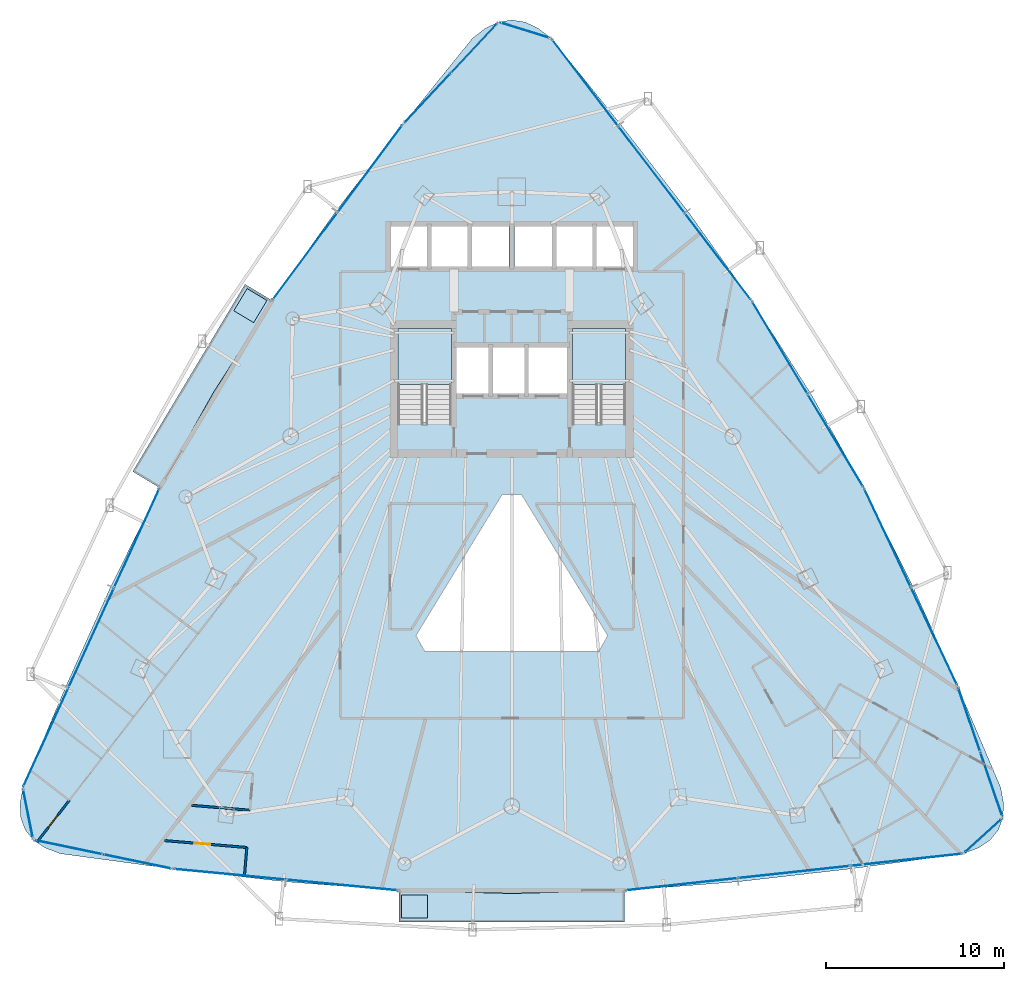
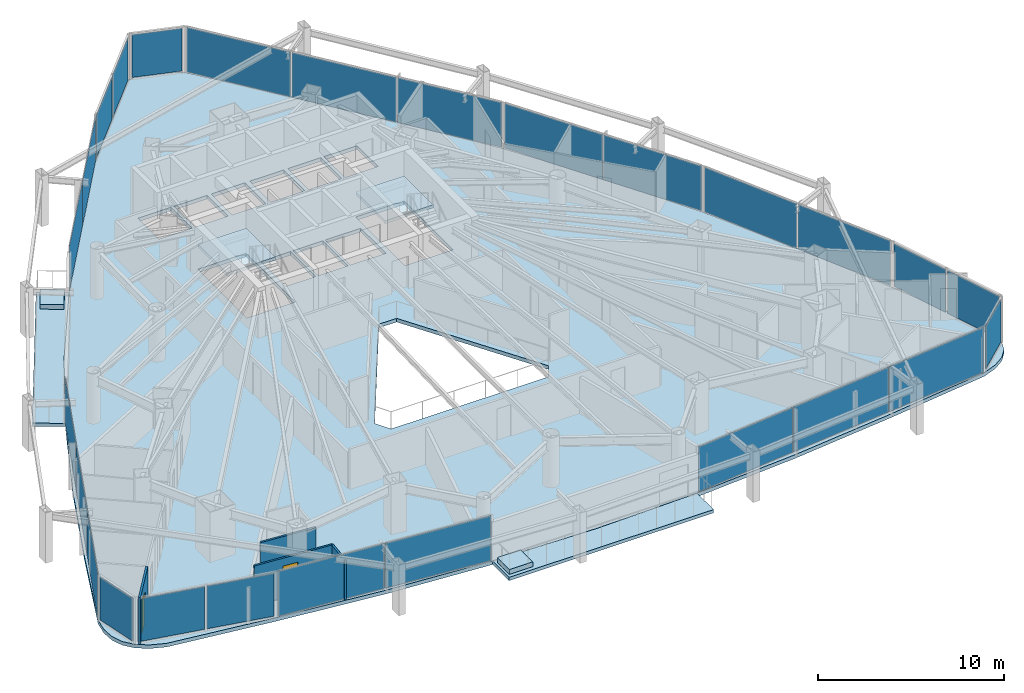
# One storey, part 28 of 34: 26 plates, 7 slabs, 4 walls, 2 doors, 2 openings, 15 elements without a shape of their own.
"""IFC4 building model written with IfcOpenShell, lengths in metres."""

from ifc_helpers import new_model, si_unit, direction, frame, frame_2d, origin, origin_2d, place, context, subcontext, project, spatial, polyline, rectangle, outline, extrude, material, layer, layer_set, type_object, element, fill, aggregate, save


model = new_model("IFC4")

# Units and contexts
model_context = context("Model", 3, precision=1e-05, world=origin(), true_north=direction((0.0, 1.0)))
body_context = subcontext(model_context, "Body", "Model", "MODEL_VIEW")
ifc_project = project(units=[si_unit("LENGTHUNIT", "METRE"), si_unit("AREAUNIT", "SQUARE_METRE"), si_unit("VOLUMEUNIT", "CUBIC_METRE"), si_unit("PLANEANGLEUNIT", "RADIAN"), si_unit("MASSUNIT", "GRAM", prefix="KILO")], contexts=[model_context])

# Site, building, storey
site_placement = place(None, origin())
site = spatial("IfcSite", under=ifc_project, at=site_placement, CompositionType="ELEMENT")
building_placement = place(site_placement, origin())
building = spatial("IfcBuilding", under=site, at=building_placement, Name="Orvanel Arch Residences", CompositionType="ELEMENT")
storey_placement = place(building_placement, frame((0.0, 0.0, 74.14990234375)))
storey = spatial("IfcBuildingStorey", under=building, at=storey_placement, Name="L20", CompositionType="ELEMENT", Elevation=74.14990234375)

# Curtain wall, plates
ifc_material_1 = material(Name="Bronze-anodised aluminium AA6063-T6", Category="aluminium")
ifc_layer_1 = layer(ifc_material_1, 0.179931640625)
ifc_layer_set_1 = layer_set([ifc_layer_1], Name="Bronze-anodised aluminium AA6063-T6")
curtain_wall_type_1 = type_object("IfcCurtainWallType", Name="CW2-LOW-SYS", PredefinedType="NOTDEFINED", material=ifc_layer_set_1)
curtain_wall_1_placement = place(storey_placement, origin())
curtain_wall_1 = element("IfcCurtainWall", 1, at=curtain_wall_1_placement, inside=storey, type_object=curtain_wall_type_1, Name="L20 CW2-LOW-SYS Unitised Curtain Wall", PredefinedType="NOTDEFINED")
ifc_material_2 = material(Name="Double-glazed solar-control low-E safety glass", Category="glass")
ifc_layer_2 = layer(ifc_material_2, 0.028076171875)
ifc_layer_set_2 = layer_set([ifc_layer_2], Name="Double-glazed solar-control low-E safety glass")
plate_type_1 = type_object("IfcPlateType", Name="PNL-GLZ-28", PredefinedType="CURTAIN_PANEL", material=ifc_layer_set_2)
plate_1_placement = place(storey_placement, frame((25.026611328125, 42.693359375, 0.06005859375), z_axis=(0.0, 0.0, 1.0), x_axis=(-0.596168298343, -0.802859489606, 0.0)))
plate_1 = element("IfcPlate", 2, at=plate_1_placement, type_object=plate_type_1, Name="CW-S2 panel 1.1", PredefinedType="CURTAIN_PANEL", context=body_context, shape_type="SweptSolid", body=[
    extrude(rectangle(XDim=6.044189453125, YDim=0.028076171875, at=origin_2d()), origin(), (0.0, 0.0, 1.0), 2.93994140625),
])
plate_2_placement = place(storey_placement, frame((21.38134765625, 37.78466796875, 0.06005859375), z_axis=(0.0, 0.0, 1.0), x_axis=(-0.596168298343, -0.802859489606, 0.0)))
plate_2 = element("IfcPlate", 3, at=plate_2_placement, type_object=plate_type_1, Name="CW-S2 panel 2.1", PredefinedType="CURTAIN_PANEL", context=body_context, shape_type="SweptSolid", body=[
    extrude(rectangle(XDim=6.044189453125, YDim=0.028076171875, at=origin_2d()), origin(), (0.0, 0.0, 1.0), 2.93994140625),
])
aggregate(curtain_wall_1, [plate_1, plate_2])

curtain_wall_2_placement = place(storey_placement, origin())
curtain_wall_2 = element("IfcCurtainWall", 4, at=curtain_wall_2_placement, inside=storey, type_object=curtain_wall_type_1, Name="L20 CW2-LOW-SYS Unitised Curtain Wall", PredefinedType="NOTDEFINED")
plate_3_placement = place(storey_placement, frame((11.9140625, 21.91796875, 0.06005859375), z_axis=(0.0, 0.0, 1.0), x_axis=(-0.415447967434, -0.909616944848, 0.0)))
plate_3 = element("IfcPlate", 5, at=plate_3_placement, type_object=plate_type_1, Name="CW-S2 panel 1.1", PredefinedType="CURTAIN_PANEL", context=body_context, shape_type="SweptSolid", body=[
    extrude(rectangle(XDim=6.060302734375, YDim=0.028076171875, at=origin_2d()), origin(), (0.0, 0.0, 1.0), 2.93994140625),
])
plate_4_placement = place(storey_placement, frame((9.360107421875, 16.325927734375, 0.06005859375), z_axis=(0.0, 0.0, 1.0), x_axis=(-0.415447967434, -0.909616944848, 0.0)))
plate_4 = element("IfcPlate", 6, at=plate_4_placement, type_object=plate_type_1, Name="CW-S2 panel 2.1", PredefinedType="CURTAIN_PANEL", context=body_context, shape_type="SweptSolid", body=[
    extrude(rectangle(XDim=6.09521484375, YDim=0.028076171875, at=origin_2d()), origin(), (0.0, 0.0, 1.0), 2.93994140625),
])
plate_5_placement = place(storey_placement, frame((6.805908203125, 10.73388671875, 0.06005859375), z_axis=(0.0, 0.0, 1.0), x_axis=(-0.415447967434, -0.909616944848, 0.0)))
plate_5 = element("IfcPlate", 7, at=plate_5_placement, type_object=plate_type_1, Name="CW-S2 panel 3.1", PredefinedType="CURTAIN_PANEL", context=body_context, shape_type="SweptSolid", body=[
    extrude(rectangle(XDim=6.060302734375, YDim=0.028076171875, at=origin_2d()), origin(), (0.0, 0.0, 1.0), 2.93994140625),
])
aggregate(curtain_wall_2, [plate_3, plate_4, plate_5])

curtain_wall_3_placement = place(storey_placement, origin())
curtain_wall_3 = element("IfcCurtainWall", 8, at=curtain_wall_3_placement, inside=storey, type_object=curtain_wall_type_1, Name="L20 CW2-LOW-SYS Unitised Curtain Wall", PredefinedType="NOTDEFINED")
plate_6_placement = place(storey_placement, frame((17.158203125, 3.0244140625, 0.06005859375), z_axis=(0.0, 0.0, 1.0), x_axis=(0.995474944009, -0.095024396079, 0.0)))
plate_6 = element("IfcPlate", 9, at=plate_6_placement, type_object=plate_type_1, Name="CW-S2 panel 1.1", PredefinedType="CURTAIN_PANEL", context=body_context, shape_type="SweptSolid", body=[
    extrude(rectangle(XDim=6.251220703125, YDim=0.028076171875, at=origin_2d()), origin(), (0.0, 0.0, 1.0), 2.93994140625),
])
plate_7_placement = place(storey_placement, frame((23.450927734375, 2.423583984375, 0.06005859375), z_axis=(0.0, 0.0, 1.0), x_axis=(0.995474944009, -0.095024396079, 0.0)))
plate_7 = element("IfcPlate", 10, at=plate_7_placement, type_object=plate_type_1, Name="CW-S2 panel 2.1", PredefinedType="CURTAIN_PANEL", context=body_context, shape_type="SweptSolid", body=[
    extrude(rectangle(XDim=6.251220703125, YDim=0.028076171875, at=origin_2d()), origin(), (0.0, 0.0, 1.0), 2.93994140625),
])
aggregate(curtain_wall_3, [plate_6, plate_7])

curtain_wall_4_placement = place(storey_placement, origin())
curtain_wall_4 = element("IfcCurtainWall", 11, at=curtain_wall_4_placement, inside=storey, type_object=curtain_wall_type_1, Name="L20 CW2-LOW-SYS Unitised Curtain Wall", PredefinedType="NOTDEFINED")
plate_8_placement = place(storey_placement, frame((42.551513671875, 2.46630859375, 0.06005859375), z_axis=(0.0, 0.0, 1.0), x_axis=(0.994141897131, 0.10808278479, 0.0)))
plate_8 = element("IfcPlate", 12, at=plate_8_placement, type_object=plate_type_1, Name="CW-S2 panel 1.1", PredefinedType="CURTAIN_PANEL", context=body_context, shape_type="SweptSolid", body=[
    extrude(rectangle(XDim=6.2666015625, YDim=0.028076171875, at=origin_2d()), origin(), (0.0, 0.0, 1.0), 2.93994140625),
])
plate_9_placement = place(storey_placement, frame((48.868408203125, 3.153076171875, 0.06005859375), z_axis=(0.0, 0.0, 1.0), x_axis=(0.994141897131, 0.10808278479, 0.0)))
plate_9 = element("IfcPlate", 13, at=plate_9_placement, type_object=plate_type_1, Name="CW-S2 panel 2.1", PredefinedType="CURTAIN_PANEL", context=body_context, shape_type="SweptSolid", body=[
    extrude(rectangle(XDim=6.3017578125, YDim=0.028076171875, at=origin_2d()), origin(), (0.0, 0.0, 1.0), 2.93994140625),
])
plate_10_placement = place(storey_placement, frame((55.185546875, 3.83984375, 0.06005859375), z_axis=(0.0, 0.0, 1.0), x_axis=(0.994141897131, 0.10808278479, 0.0)))
plate_10 = element("IfcPlate", 14, at=plate_10_placement, type_object=plate_type_1, Name="CW-S2 panel 3.1", PredefinedType="CURTAIN_PANEL", context=body_context, shape_type="SweptSolid", body=[
    extrude(rectangle(XDim=6.2666015625, YDim=0.028076171875, at=origin_2d()), origin(), (0.0, 0.0, 1.0), 2.93994140625),
])
aggregate(curtain_wall_4, [plate_8, plate_9, plate_10])

curtain_wall_5_placement = place(storey_placement, origin())
curtain_wall_5 = element("IfcCurtainWall", 15, at=curtain_wall_5_placement, inside=storey, type_object=curtain_wall_type_1, Name="L20 CW2-LOW-SYS Unitised Curtain Wall", PredefinedType="NOTDEFINED")
plate_11_placement = place(storey_placement, frame((56.73583984375, 16.415283203125, 0.06005859375), z_axis=(0.0, 0.0, 1.0), x_axis=(-0.427593472426, 0.903971140213, 0.0)))
plate_11 = element("IfcPlate", 16, at=plate_11_placement, type_object=plate_type_1, Name="CW-S2 panel 1.1", PredefinedType="CURTAIN_PANEL", context=body_context, shape_type="SweptSolid", body=[
    extrude(rectangle(XDim=6.04443359375, YDim=0.028076171875, at=origin_2d()), origin(), (0.0, 0.0, 1.0), 2.93994140625),
])
plate_12_placement = place(storey_placement, frame((54.121337890625, 21.942626953125, 0.06005859375), z_axis=(0.0, 0.0, 1.0), x_axis=(-0.427593472426, 0.903971140213, 0.0)))
plate_12 = element("IfcPlate", 17, at=plate_12_placement, type_object=plate_type_1, Name="CW-S2 panel 2.1", PredefinedType="CURTAIN_PANEL", context=body_context, shape_type="SweptSolid", body=[
    extrude(rectangle(XDim=6.04443359375, YDim=0.028076171875, at=origin_2d()), origin(), (0.0, 0.0, 1.0), 2.93994140625),
])
aggregate(curtain_wall_5, [plate_11, plate_12])

curtain_wall_6_placement = place(storey_placement, origin())
curtain_wall_6 = element("IfcCurtainWall", 18, at=curtain_wall_6_placement, inside=storey, type_object=curtain_wall_type_1, Name="L20 CW2-LOW-SYS Unitised Curtain Wall", PredefinedType="NOTDEFINED")
plate_13_placement = place(storey_placement, frame((51.197021484375, 27.412109375, 0.06005859375), z_axis=(0.0, 0.0, 1.0), x_axis=(-0.514399631471, 0.85755059276, 0.0)))
plate_13 = element("IfcPlate", 19, at=plate_13_placement, type_object=plate_type_1, Name="CW-S2 panel 1.1", PredefinedType="CURTAIN_PANEL", context=body_context, shape_type="SweptSolid", body=[
    extrude(rectangle(XDim=6.0146484375, YDim=0.028076171875, at=origin_2d()), origin(), (0.0, 0.0, 1.0), 2.93994140625),
])
plate_14_placement = place(storey_placement, frame((48.06689453125, 32.6298828125, 0.06005859375), z_axis=(0.0, 0.0, 1.0), x_axis=(-0.514399631471, 0.85755059276, 0.0)))
plate_14 = element("IfcPlate", 20, at=plate_14_placement, type_object=plate_type_1, Name="CW-S2 panel 2.1", PredefinedType="CURTAIN_PANEL", context=body_context, shape_type="SweptSolid", body=[
    extrude(rectangle(XDim=6.0146484375, YDim=0.028076171875, at=origin_2d()), origin(), (0.0, 0.0, 1.0), 2.93994140625),
])
aggregate(curtain_wall_6, [plate_13, plate_14])

curtain_wall_7_placement = place(storey_placement, origin())
curtain_wall_7 = element("IfcCurtainWall", 21, at=curtain_wall_7_placement, inside=storey, type_object=curtain_wall_type_1, Name="L20 CW2-LOW-SYS Unitised Curtain Wall", PredefinedType="NOTDEFINED")
plate_15_placement = place(storey_placement, frame((44.58056640625, 37.765625, 0.06005859375), z_axis=(0.0, 0.0, 1.0), x_axis=(-0.606950241122, 0.794739834664, 0.0)))
plate_15 = element("IfcPlate", 22, at=plate_15_placement, type_object=plate_type_1, Name="CW-S2 panel 1.1", PredefinedType="CURTAIN_PANEL", context=body_context, shape_type="SweptSolid", body=[
    extrude(rectangle(XDim=6.059814453125, YDim=0.028076171875, at=origin_2d()), origin(), (0.0, 0.0, 1.0), 2.93994140625),
])
plate_16_placement = place(storey_placement, frame((40.849609375, 42.65087890625, 0.06005859375), z_axis=(0.0, 0.0, 1.0), x_axis=(-0.606950241122, 0.794739834664, 0.0)))
plate_16 = element("IfcPlate", 23, at=plate_16_placement, type_object=plate_type_1, Name="CW-S2 panel 2.1", PredefinedType="CURTAIN_PANEL", context=body_context, shape_type="SweptSolid", body=[
    extrude(rectangle(XDim=6.0947265625, YDim=0.028076171875, at=origin_2d()), origin(), (0.0, 0.0, 1.0), 2.93994140625),
])
plate_17_placement = place(storey_placement, frame((37.118408203125, 47.536376953125, 0.06005859375), z_axis=(0.0, 0.0, 1.0), x_axis=(-0.606950241122, 0.794739834664, 0.0)))
plate_17 = element("IfcPlate", 24, at=plate_17_placement, type_object=plate_type_1, Name="CW-S2 panel 3.1", PredefinedType="CURTAIN_PANEL", context=body_context, shape_type="SweptSolid", body=[
    extrude(rectangle(XDim=6.059814453125, YDim=0.028076171875, at=origin_2d()), origin(), (0.0, 0.0, 1.0), 2.93994140625),
])
aggregate(curtain_wall_7, [plate_15, plate_16, plate_17])

# Curtain wall, plate
ifc_layer_3 = layer(ifc_material_1, 0.18994140625)
ifc_layer_set_3 = layer_set([ifc_layer_3], Name="Bronze-anodised aluminium AA6063-T6")
curtain_wall_type_2 = type_object("IfcCurtainWallType", Name="CW5-CRN-SYS", PredefinedType="NOTDEFINED", material=ifc_layer_set_3)
curtain_wall_8_placement = place(storey_placement, origin())
curtain_wall_8 = element("IfcCurtainWall", 25, at=curtain_wall_8_placement, inside=storey, type_object=curtain_wall_type_2, Name="L20 CW5-CRN-SYS Unitised Curtain Wall", PredefinedType="NOTDEFINED")
ifc_layer_4 = layer(ifc_material_2, 0.031982421875)
ifc_layer_set_4 = layer_set([ifc_layer_4], Name="Double-glazed solar-control low-E safety glass")
plate_type_2 = type_object("IfcPlateType", Name="PNL-GLZ-32", PredefinedType="CURTAIN_PANEL", material=ifc_layer_set_4)
plate_18_placement = place(storey_placement, frame((33.741455078125, 50.4775390625, 0.1298828125), z_axis=(0.0, 0.0, 1.0), x_axis=(-0.954879378397, 0.296993893392, 0.0)))
plate_18 = element("IfcPlate", 26, at=plate_18_placement, type_object=plate_type_2, Name="CW-S5 panel 1.1", PredefinedType="CURTAIN_PANEL", context=body_context, shape_type="SweptSolid", body=[
    extrude(rectangle(XDim=2.767333984375, YDim=0.031982421875, at=origin_2d()), origin(), (0.0, 0.0, 1.0), 2.800048828125),
])
aggregate(curtain_wall_8, [plate_18])

# Curtain wall, plates
curtain_wall_9_placement = place(storey_placement, origin())
curtain_wall_9 = element("IfcCurtainWall", 27, at=curtain_wall_9_placement, inside=storey, type_object=curtain_wall_type_2, Name="L20 CW5-CRN-SYS Unitised Curtain Wall", PredefinedType="NOTDEFINED")
plate_19_placement = place(storey_placement, frame((30.88134765625, 49.46728515625, 0.1298828125), z_axis=(0.0, 0.0, 1.0), x_axis=(-0.683146141191, -0.730281692072, 0.0)))
plate_19 = element("IfcPlate", 28, at=plate_19_placement, type_object=plate_type_2, Name="CW-S5 panel 1.1", PredefinedType="CURTAIN_PANEL", context=body_context, shape_type="SweptSolid", body=[
    extrude(rectangle(XDim=3.689208984375, YDim=0.031982421875, at=origin_2d()), origin(), (0.0, 0.0, 1.0), 2.800048828125),
])
plate_20_placement = place(storey_placement, frame((28.258544921875, 46.66357421875, 0.1298828125), z_axis=(0.0, 0.0, 1.0), x_axis=(-0.683146141191, -0.730281692072, 0.0)))
plate_20 = element("IfcPlate", 29, at=plate_20_placement, type_object=plate_type_2, Name="CW-S5 panel 2.1", PredefinedType="CURTAIN_PANEL", context=body_context, shape_type="SweptSolid", body=[
    extrude(rectangle(XDim=3.689208984375, YDim=0.031982421875, at=origin_2d()), origin(), (0.0, 0.0, 1.0), 2.800048828125),
])
aggregate(curtain_wall_9, [plate_19, plate_20])

# Curtain wall, plate
curtain_wall_10_placement = place(storey_placement, origin())
curtain_wall_10 = element("IfcCurtainWall", 30, at=curtain_wall_10_placement, inside=storey, type_object=curtain_wall_type_2, Name="L20 CW5-CRN-SYS Unitised Curtain Wall", PredefinedType="NOTDEFINED")
plate_21_placement = place(storey_placement, frame((5.802490234375, 6.428955078125, 0.1298828125), z_axis=(0.0, 0.0, 1.0), x_axis=(0.19552958949, -0.980697802401, 0.0)))
plate_21 = element("IfcPlate", 31, at=plate_21_placement, type_object=plate_type_2, Name="CW-S5 panel 1.1", PredefinedType="CURTAIN_PANEL", context=body_context, shape_type="SweptSolid", body=[
    extrude(rectangle(XDim=2.65087890625, YDim=0.031982421875, at=origin_2d()), origin(), (0.0, 0.0, 1.0), 2.800048828125),
])
aggregate(curtain_wall_10, [plate_21])

# Curtain wall, plates
curtain_wall_11_placement = place(storey_placement, origin())
curtain_wall_11 = element("IfcCurtainWall", 32, at=curtain_wall_11_placement, inside=storey, type_object=curtain_wall_type_2, Name="L20 CW5-CRN-SYS Unitised Curtain Wall", PredefinedType="NOTDEFINED")
plate_22_placement = place(storey_placement, frame((8.107177734375, 4.54443359375, 0.1298828125), z_axis=(0.0, 0.0, 1.0), x_axis=(0.97911973689, -0.203284384132, 0.0)))
plate_22 = element("IfcPlate", 33, at=plate_22_placement, type_object=plate_type_2, Name="CW-S5 panel 1.1", PredefinedType="CURTAIN_PANEL", context=body_context, shape_type="SweptSolid", body=[
    extrude(rectangle(XDim=3.769287109375, YDim=0.031982421875, at=origin_2d()), origin(), (0.0, 0.0, 1.0), 2.800048828125),
])
plate_23_placement = place(storey_placement, frame((11.94482421875, 3.74755859375, 0.1298828125), z_axis=(0.0, 0.0, 1.0), x_axis=(0.97911973689, -0.203284384132, 0.0)))
plate_23 = element("IfcPlate", 34, at=plate_23_placement, type_object=plate_type_2, Name="CW-S5 panel 2.1", PredefinedType="CURTAIN_PANEL", context=body_context, shape_type="SweptSolid", body=[
    extrude(rectangle(XDim=3.769287109375, YDim=0.031982421875, at=origin_2d()), origin(), (0.0, 0.0, 1.0), 2.800048828125),
])
aggregate(curtain_wall_11, [plate_22, plate_23])

# Curtain wall, plate
curtain_wall_12_placement = place(storey_placement, origin())
curtain_wall_12 = element("IfcCurtainWall", 35, at=curtain_wall_12_placement, inside=storey, type_object=curtain_wall_type_2, Name="L20 CW5-CRN-SYS Unitised Curtain Wall", PredefinedType="NOTDEFINED")
plate_24_placement = place(storey_placement, frame((59.49755859375, 5.193603515625, 0.1298828125), z_axis=(0.0, 0.0, 1.0), x_axis=(0.740169951357, 0.6724198414, 0.0)))
plate_24 = element("IfcPlate", 36, at=plate_24_placement, type_object=plate_type_2, Name="CW-S5 panel 1.1", PredefinedType="CURTAIN_PANEL", context=body_context, shape_type="SweptSolid", body=[
    extrude(rectangle(XDim=2.652099609375, YDim=0.031982421875, at=origin_2d()), origin(), (0.0, 0.0, 1.0), 2.800048828125),
])
aggregate(curtain_wall_12, [plate_24])

# Curtain wall, plates
curtain_wall_13_placement = place(storey_placement, origin())
curtain_wall_13 = element("IfcCurtainWall", 37, at=curtain_wall_13_placement, inside=storey, type_object=curtain_wall_type_2, Name="L20 CW5-CRN-SYS Unitised Curtain Wall", PredefinedType="NOTDEFINED")
plate_25_placement = place(storey_placement, frame((59.955322265625, 8.0947265625, 0.1298828125), z_axis=(0.0, 0.0, 1.0), x_axis=(-0.324422828844, 0.945912167236, 0.0)))
plate_25 = element("IfcPlate", 38, at=plate_25_placement, type_object=plate_type_2, Name="CW-S5 panel 1.1", PredefinedType="CURTAIN_PANEL", context=body_context, shape_type="SweptSolid", body=[
    extrude(rectangle(XDim=3.66796875, YDim=0.031982421875, at=origin_2d()), origin(), (0.0, 0.0, 1.0), 2.800048828125),
])
plate_26_placement = place(storey_placement, frame((58.716552734375, 11.706298828125, 0.1298828125), z_axis=(0.0, 0.0, 1.0), x_axis=(-0.324422828844, 0.945912167236, 0.0)))
plate_26 = element("IfcPlate", 39, at=plate_26_placement, type_object=plate_type_2, Name="CW-S5 panel 2.1", PredefinedType="CURTAIN_PANEL", context=body_context, shape_type="SweptSolid", body=[
    extrude(rectangle(XDim=3.66796875, YDim=0.031982421875, at=origin_2d()), origin(), (0.0, 0.0, 1.0), 2.800048828125),
])
aggregate(curtain_wall_13, [plate_25, plate_26])

# Slabs
ifc_material_3 = material(Name="Concrete N40 (40 MPa)", Category="concrete")
ifc_layer_5 = layer(ifc_material_3, 0.215087890625)
ifc_layer_set_5 = layer_set([ifc_layer_5], Name="Concrete N40 (40 MPa)")
slab_type_1 = type_object("IfcSlabType", Name="SLB-BAL-215", PredefinedType="FLOOR", material=ifc_layer_set_5)
slab_1_placement = place(storey_placement, frame((0.0, 0.0, -0.21484375)))
element("IfcSlab", 40, at=slab_1_placement, inside=storey, type_object=slab_type_1, Name="L20 Cantilevered Balcony Slab Face 1", PredefinedType="FLOOR", context=body_context, shape_type="SweptSolid", body=[
    extrude(outline(polyline([(18.0, 36.200927734375), (11.68310546875, 25.6708984375), (13.2099609375, 24.756103515625), (16.221923828125, 30.10791015625), (19.52587890625, 35.285888671875), (18.0, 36.200927734375)])), origin(), (0.0, 0.0, 1.0), 0.21484375),
])
slab_2_placement = place(storey_placement, frame((0.0, 0.0, -0.21484375)))
element("IfcSlab", 41, at=slab_2_placement, inside=storey, type_object=slab_type_1, Name="L20 Cantilevered Balcony Slab Face 2", PredefinedType="FLOOR", context=body_context, shape_type="SweptSolid", body=[
    extrude(outline(polyline([(26.652099609375, 0.337890625), (39.346923828125, 0.337890625), (39.346923828125, 2.117919921875), (33.0, 1.947998046875), (26.652099609375, 2.117919921875), (26.652099609375, 0.337890625)])), origin(), (0.0, 0.0, 1.0), 0.21484375),
])

# Stair, slab
ifc_material_4 = material(Name="Precast concrete N50 (50 MPa)", Category="concrete")
stair_type = type_object("IfcStairType", Name="STR-DOG-184", PredefinedType="USERDEFINED", material=ifc_material_4)
stair_1_placement = place(storey_placement, origin())
stair_1 = element("IfcStair", 42, at=stair_1_placement, inside=storey, type_object=stair_type, Name="L20 Fire-Isolated Core Exit Stair 1", ObjectType="TWO_RETURN_STAIR", PredefinedType="USERDEFINED")
ifc_layer_6 = layer(ifc_material_3, 0.199951171875)
ifc_layer_set_6 = layer_set([ifc_layer_6], Name="Concrete N40 (40 MPa)")
slab_type_2 = type_object("IfcSlabType", Name="SLB-LND-200", PredefinedType="LANDING", material=ifc_layer_set_6)
slab_3_placement = place(storey_placement, frame((0.0, 0.0, 1.4501953125)))
slab_3 = element("IfcSlab", 43, at=slab_3_placement, type_object=slab_type_2, Name="ST-1 landing 1", PredefinedType="LANDING", context=body_context, shape_type="SweptSolid", body=[
    extrude(outline(polyline([(29.60009765625, 30.56005859375), (29.60009765625, 33.699951171875), (26.60009765625, 33.699951171875), (26.60009765625, 30.56005859375), (29.60009765625, 30.56005859375)])), origin(), (0.0, 0.0, 1.0), 0.199951171875),
])
aggregate(stair_1, [slab_3])

stair_2_placement = place(storey_placement, origin())
stair_2 = element("IfcStair", 44, at=stair_2_placement, inside=storey, type_object=stair_type, Name="L20 Fire-Isolated Core Exit Stair 2", ObjectType="TWO_RETURN_STAIR", PredefinedType="USERDEFINED")
slab_4_placement = place(storey_placement, frame((0.0, 0.0, 1.4501953125)))
slab_4 = element("IfcSlab", 45, at=slab_4_placement, type_object=slab_type_2, Name="ST-2 landing 1", PredefinedType="LANDING", context=body_context, shape_type="SweptSolid", body=[
    extrude(outline(polyline([(39.39990234375, 30.56005859375), (39.39990234375, 33.699951171875), (36.39990234375, 33.699951171875), (36.39990234375, 30.56005859375), (39.39990234375, 30.56005859375)])), origin(), (0.0, 0.0, 1.0), 0.199951171875),
])
aggregate(stair_2, [slab_4])

# Slabs
ifc_material_5 = material(Name="Structural architectural precast concrete N40 (40 MPa) planter", Category="concrete")
ifc_layer_7 = layer(ifc_material_5, 0.320068359375)
ifc_layer_set_7 = layer_set([ifc_layer_7], Name="Structural architectural precast concrete N40 (40 MPa) planter")
slab_type_3 = type_object("IfcSlabType", Name="SLB-PLN-320", PredefinedType="USERDEFINED", material=ifc_layer_set_7)
slab_5_placement = place(storey_placement, origin())
element("IfcSlab", 46, at=slab_5_placement, inside=storey, type_object=slab_type_3, Name="L20 Balcony TREE PLANTER Face 1", ObjectType="PLANTER", PredefinedType="USERDEFINED", context=body_context, shape_type="SweptSolid", body=[
    extrude(outline(polyline([(18.1201171875, 35.9541015625), (17.3740234375, 34.7109375), (18.489013671875, 34.0419921875), (19.235107421875, 35.285888671875), (18.1201171875, 35.9541015625)])), origin(), (0.0, 0.0, 1.0), 0.320068359375),
])
slab_6_placement = place(storey_placement, origin())
element("IfcSlab", 47, at=slab_6_placement, inside=storey, type_object=slab_type_3, Name="L20 Balcony TREE PLANTER Face 2", ObjectType="PLANTER", PredefinedType="USERDEFINED", context=body_context, shape_type="SweptSolid", body=[
    extrude(outline(polyline([(26.802001953125, 0.568115234375), (28.2529296875, 0.568115234375), (28.2529296875, 1.867919921875), (26.802001953125, 1.867919921875), (26.802001953125, 0.568115234375)])), origin(), (0.0, 0.0, 1.0), 0.320068359375),
])
ifc_layer_8 = layer(ifc_material_3, 0.239990234375)
ifc_layer_set_8 = layer_set([ifc_layer_8], Name="Concrete N40 (40 MPa)")
slab_type_4 = type_object("IfcSlabType", Name="SLB-TYP-240", PredefinedType="FLOOR", material=ifc_layer_set_8)
slab_7_placement = place(storey_placement, frame((0.0, 0.0, -0.239990234375)))
element("IfcSlab", 48, at=slab_7_placement, inside=storey, type_object=slab_type_4, Name="L20 Tower Floor Slab", PredefinedType="FLOOR", context=body_context, shape_type="SweptSolid", body=[
    extrude(outline(polyline([(35.22509765625, 50.01611328125), (34.48291015625, 50.593017578125), (33.741943359375, 50.93896484375), (33.0, 51.054931640625), (32.258056640625, 50.93896484375), (31.51708984375, 50.593017578125), (30.77490234375, 50.01611328125), (26.882080078125, 45.19189453125), (23.10107421875, 40.301025390625), (19.52587890625, 35.285888671875), (16.221923828125, 30.10791015625), (13.2099609375, 24.756103515625), (10.468017578125, 19.240966796875), (7.93310546875, 13.60205078125), (5.510009765625, 7.89599609375), (5.35107421875, 6.989990234375), (5.39501953125, 6.198974609375), (5.64306640625, 5.52294921875), (6.094970703125, 4.9619140625), (6.7509765625, 4.51708984375), (7.610107421875, 4.18798828125), (13.95703125, 3.330078125), (20.304931640625, 2.60400390625), (26.652099609375, 2.117919921875), (33.0, 1.947998046875), (39.346923828125, 2.117919921875), (45.695068359375, 2.60400390625), (52.0419921875, 3.330078125), (58.389892578125, 4.18798828125), (59.2490234375, 4.51708984375), (59.905029296875, 4.9619140625), (60.35693359375, 5.52294921875), (60.60498046875, 6.198974609375), (60.64990234375, 6.989990234375), (60.489990234375, 7.89599609375), (58.06689453125, 13.60205078125), (55.531982421875, 19.240966796875), (52.7900390625, 24.756103515625), (49.778076171875, 30.10791015625), (46.47412109375, 35.285888671875), (42.89892578125, 40.301025390625), (39.117919921875, 45.19189453125), (35.22509765625, 50.01611328125)]), holes=[polyline([(26.60009765625, 28.429931640625), (26.60009765625, 33.699951171875), (29.60009765625, 33.699951171875), (29.60009765625, 28.429931640625), (26.60009765625, 28.429931640625)]), polyline([(36.39990234375, 28.429931640625), (36.39990234375, 33.699951171875), (39.39990234375, 33.699951171875), (39.39990234375, 28.429931640625), (36.39990234375, 28.429931640625)]), polyline([(29.89990234375, 32.64990234375), (31.75, 32.64990234375), (31.75, 29.949951171875), (29.89990234375, 29.949951171875), (29.89990234375, 32.64990234375)]), polyline([(31.89990234375, 32.64990234375), (33.75, 32.64990234375), (33.75, 29.949951171875), (31.89990234375, 29.949951171875), (31.89990234375, 32.64990234375)]), polyline([(33.89990234375, 32.64990234375), (36.10009765625, 32.64990234375), (36.10009765625, 29.949951171875), (33.89990234375, 29.949951171875), (33.89990234375, 32.64990234375)]), polyline([(26.199951171875, 39.449951171875), (28.25, 39.449951171875), (28.25, 37.199951171875), (26.199951171875, 37.199951171875), (26.199951171875, 39.449951171875)]), polyline([(37.75, 39.449951171875), (39.800048828125, 39.449951171875), (39.800048828125, 37.199951171875), (37.75, 37.199951171875), (37.75, 39.449951171875)]), polyline([(28.449951171875, 39.449951171875), (30.5, 39.449951171875), (30.5, 37.199951171875), (28.449951171875, 37.199951171875), (28.449951171875, 39.449951171875)]), polyline([(35.5, 39.449951171875), (37.550048828125, 39.449951171875), (37.550048828125, 37.199951171875), (35.5, 37.199951171875), (35.5, 39.449951171875)]), polyline([(30.75, 39.449951171875), (32.85009765625, 39.449951171875), (32.85009765625, 37.199951171875), (30.75, 37.199951171875), (30.75, 39.449951171875)]), polyline([(33.14990234375, 39.449951171875), (35.25, 39.449951171875), (35.25, 37.199951171875), (33.14990234375, 37.199951171875), (33.14990234375, 39.449951171875)]), polyline([(38.39599609375, 16.447998046875), (37.89501953125, 15.552978515625), (28.10498046875, 15.552978515625), (27.60400390625, 16.447998046875), (32.452880859375, 24.3798828125), (33.547119140625, 24.3798828125), (38.39599609375, 16.447998046875)])]), origin(), (0.0, 0.0, 1.0), 0.239990234375),
])

# Wall, opening, door
ifc_material_6 = material(Name="Acoustic plasterboard lined twin-stud partition", Category="gypsum")
ifc_layer_9 = layer(ifc_material_6, 0.1201171875)
ifc_layer_set_9 = layer_set([ifc_layer_9], Name="Acoustic plasterboard lined twin-stud partition")
wall_type = type_object("IfcWallType", Name="W-WET-120", PredefinedType="PARTITIONING", material=ifc_layer_set_9)
wall_1_placement = place(storey_placement, frame((6.306884765625, 4.8359375, 0.0), z_axis=(0.0, 0.0, 1.0), x_axis=(0.611279012709, 0.791415168304, 0.0)))
wall_1 = element("IfcWall", 49, at=wall_1_placement, inside=storey, type_object=wall_type, Name="L20 Flat B Internal Partition", PredefinedType="PARTITIONING", context=body_context, shape_type="SweptSolid", body=[
    extrude(rectangle(XDim=2.969482421875, YDim=0.1201171875, at=frame_2d((1.48486328125, 0.0))), origin(), (0.0, 0.0, 1.0), 3.06005859375),
])
opening_1_placement = place(wall_1_placement, frame((1.044921875, 0.0, 0.0)))
opening_1 = element("IfcOpeningElement", 50, at=opening_1_placement, cuts=wall_1, Name="Opening DI-088", PredefinedType="OPENING", context=body_context, shape_type="SweptSolid", body=[
    extrude(rectangle(XDim=0.8798828125, YDim=2.10009765625, at=frame_2d((0.43994140625, 1.050048828125))), frame((0.0, 0.070068359375, 0.0), z_axis=(0.0, -1.0, 0.0), x_axis=(1.0, 0.0, 0.0)), (0.0, 0.0, 1.0), 0.14013671875),
])
ifc_material_7 = material(Name="Solid-core European oak veneer fire door leaf", Category="wood")
door_type = type_object("IfcDoorType", Name="DR-INT-880", OperationType="NOTDEFINED", PredefinedType="DOOR", material=ifc_material_7)
door_1_placement = place(opening_1_placement, origin())
door_1 = element("IfcDoor", 51, at=door_1_placement, inside=storey, type_object=door_type, Name="DR-L20-B-KIT L20 Flat B Kitchen Door", OperationType="SINGLE_SWING_LEFT", OverallHeight=2.10009765625, OverallWidth=0.8798828125, PredefinedType="DOOR", context=body_context, shape_type="SweptSolid", body=[
    extrude(rectangle(XDim=0.8798828125, YDim=2.10009765625, at=frame_2d((0.43994140625, 1.050048828125))), frame((0.0, 0.02490234375, 0.0), z_axis=(0.0, -1.0, 0.0), x_axis=(1.0, 0.0, 0.0)), (0.0, 0.0, 1.0), 0.050048828125),
])
fill(opening_1, door_1)

# Walls
wall_2_placement = place(storey_placement, frame((15.0009765625, 6.904052734375, 0.0), z_axis=(0.0, 0.0, 1.0), x_axis=(0.996518569178, -0.083371105803, 0.0)))
element("IfcWall", 52, at=wall_2_placement, inside=storey, type_object=wall_type, Name="L20 Studio D Bathroom Partition", PredefinedType="PARTITIONING", context=body_context, shape_type="SweptSolid", body=[
    extrude(rectangle(XDim=3.28857421875, YDim=0.1201171875, at=frame_2d((1.644287109375, 0.0))), origin(), (0.0, 0.0, 1.0), 2.4130859375),
])
wall_3_placement = place(storey_placement, frame((17.965087890625, 2.886962890625, 0.0), z_axis=(0.0, 0.0, 1.0), x_axis=(0.083412008543, 0.996515146313, 0.0)))
element("IfcWall", 53, at=wall_3_placement, inside=storey, type_object=wall_type, Name="L20 Studio D Internal Partition", PredefinedType="PARTITIONING", context=body_context, shape_type="SweptSolid", body=[
    extrude(rectangle(XDim=1.65380859375, YDim=0.1201171875, at=frame_2d((0.826904296875, 0.0))), origin(), (0.0, 0.0, 1.0), 2.619140625),
])

# Wall, opening, door
wall_4_placement = place(storey_placement, frame((18.10302734375, 4.534912109375, 0.0), z_axis=(0.0, 0.0, 1.0), x_axis=(-0.99650936218, 0.083481082211, 0.0)))
wall_4 = element("IfcWall", 54, at=wall_4_placement, inside=storey, type_object=wall_type, Name="L20 Studio D Internal Partition", PredefinedType="PARTITIONING", context=body_context, shape_type="SweptSolid", body=[
    extrude(rectangle(XDim=4.63818359375, YDim=0.1201171875, at=frame_2d((2.319091796875, 0.0))), origin(), (0.0, 0.0, 1.0), 2.619140625),
])
opening_2_placement = place(wall_4_placement, frame((2.073974609375, 0.0, 0.0)))
opening_2 = element("IfcOpeningElement", 55, at=opening_2_placement, cuts=wall_4, Name="Opening DI-088", PredefinedType="OPENING", context=body_context, shape_type="SweptSolid", body=[
    extrude(rectangle(XDim=0.8798828125, YDim=2.10009765625, at=frame_2d((0.43994140625, 1.050048828125))), frame((0.0, 0.070068359375, 0.0), z_axis=(0.0, -1.0, 0.0), x_axis=(1.0, 0.0, 0.0)), (0.0, 0.0, 1.0), 0.14013671875),
])
door_2_placement = place(opening_2_placement, origin())
door_2 = element("IfcDoor", 56, at=door_2_placement, inside=storey, type_object=door_type, Name="DR-L20-D-KIT L20 Studio D Kitchenette Door", OperationType="SINGLE_SWING_LEFT", OverallHeight=2.10009765625, OverallWidth=0.8798828125, PredefinedType="DOOR", context=body_context, shape_type="SweptSolid", body=[
    extrude(rectangle(XDim=0.8798828125, YDim=2.10009765625, at=frame_2d((0.43994140625, 1.050048828125))), frame((0.0, 0.02490234375, 0.0), z_axis=(0.0, -1.0, 0.0), x_axis=(1.0, 0.0, 0.0)), (0.0, 0.0, 1.0), 0.050048828125),
])
fill(opening_2, door_2)

save(model, "model.ifc")
